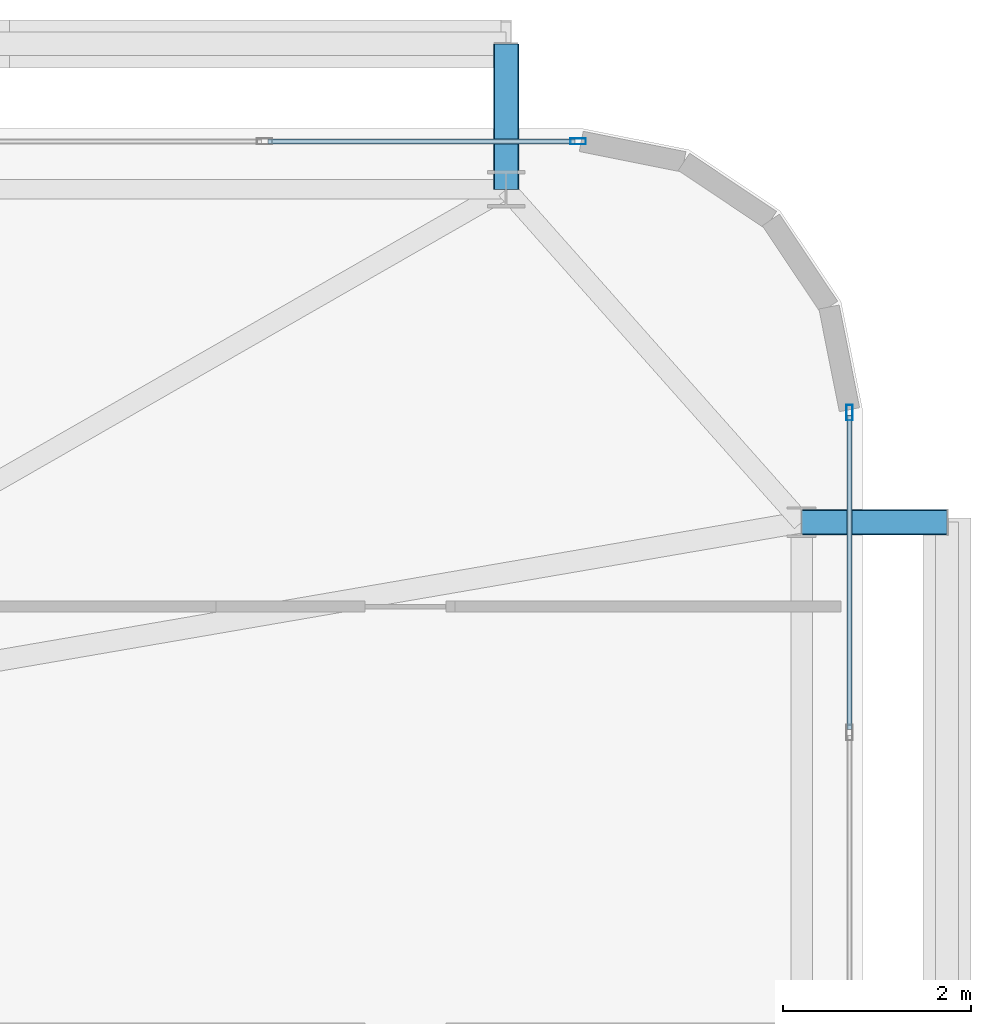
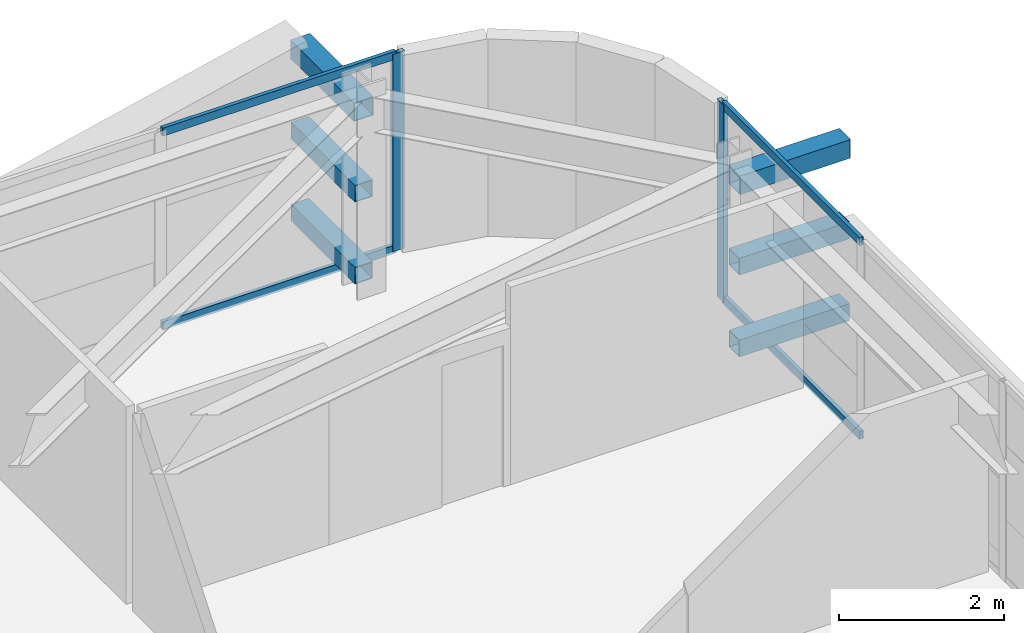
# One storey, part 41 of 59: 12 members, 2 elements without a shape of their own.
"""IFC4 building model written with IfcOpenShell, lengths in metres."""

from ifc_helpers import new_model, si_unit, direction, frame, origin, origin_2d, place, context, subcontext, project, spatial, hollow_rectangle, extrude, source, transform, mapped, material, layer, layer_set, material_profile, profile_set, type_object, element, aggregate, save


model = new_model("IFC4")

# Units and contexts
model_context = context("Model", 3, precision=1e-05, world=origin(), true_north=direction((0.0, 1.0)))
body_context = subcontext(model_context, "Body", "Model", "MODEL_VIEW")
ifc_project = project(units=[si_unit("LENGTHUNIT", "METRE"), si_unit("AREAUNIT", "SQUARE_METRE"), si_unit("VOLUMEUNIT", "CUBIC_METRE"), si_unit("PLANEANGLEUNIT", "RADIAN"), si_unit("MASSUNIT", "GRAM", prefix="KILO")], contexts=[model_context])

# Site, building, storey
site_placement = place(None, origin())
site = spatial("IfcSite", under=ifc_project, at=site_placement, CompositionType="ELEMENT")
building_placement = place(site_placement, origin())
building = spatial("IfcBuilding", under=site, at=building_placement, Name="Taldren Reach Tower", CompositionType="ELEMENT")
storey_placement = place(building_placement, frame((0.0, 0.0, 23.10009765625)))
storey = spatial("IfcBuildingStorey", under=building, at=storey_placement, Name="L06", CompositionType="ELEMENT", Elevation=23.10009765625)

# Members
ifc_material_1 = material(Name="Steel Gr 450 (C450L0)", Category="steel")
ifc_material_profile_1 = material_profile(ifc_material_1, hollow_rectangle(XDim=0.27490234375, YDim=0.27490234375, WallThickness=0.00927734375, at=origin_2d()), Name="275x275x9.3SHS")
ifc_profile_set_1 = profile_set([ifc_material_profile_1], Name="Steel Gr 450 (C450L0)")
member_type_1 = type_object("IfcMemberType", Name="MB-TIE273", PredefinedType="STRUT", material=ifc_profile_set_1)
shared_shape_1 = source(origin(), body_context, "Body", "SweptSolid", [
    extrude(hollow_rectangle(XDim=0.27490234375, YDim=0.27490234375, WallThickness=0.00927734375, at=origin_2d()), origin(), (0.0, 0.0, 1.0), 1.5498046875),
])
for number, where, z_axis, x_axis, name in (
    (1, (61.199951171875, 37.85009765625, 2.64990234375), (0.0, 1.0, 0.0), (-1.0, 0.0, 0.0), "Exoskeleton diaphragm tie strut B1-N6 L06"),
    (2, (64.35009765625, 34.300048828125, 2.64990234375), (1.0, 0.0, 0.0), (0.0, 1.0, 0.0), "Exoskeleton diaphragm tie strut B1-E3 L06"),
):
    element("IfcMember", number, at=place(storey_placement, frame(where, z_axis=z_axis, x_axis=x_axis)), inside=storey, type_object=member_type_1, Name=name, PredefinedType="STRUT", context=body_context, shape_type="MappedRepresentation", body=[
        mapped(shared_shape_1, transform((0.0, 0.0, 0.0), scale=1.0)),
    ])
ifc_material_2 = material(Name="Steel Gr 350 (C350L0)", Category="steel")
ifc_material_profile_2 = material_profile(ifc_material_2, hollow_rectangle(XDim=0.25, YDim=0.25, WallThickness=0.010009765625, at=origin_2d()), Name="250x250x10.0SHS")
ifc_profile_set_2 = profile_set([ifc_material_profile_2], Name="Steel Gr 350 (C350L0)")
member_type_2 = type_object("IfcMemberType", Name="MB-POST250", PredefinedType="POST", material=ifc_profile_set_2)
shared_shape_2 = source(origin(), body_context, "Body", "SweptSolid", [
    extrude(hollow_rectangle(XDim=0.25, YDim=0.25, WallThickness=0.010009765625, at=origin_2d()), origin(), (0.0, 0.0, 1.0), 1.5498046875),
])
for number, where, z_axis, x_axis, name in (
    (3, (61.199951171875, 37.85009765625, 0.219970703125), (0.0, 1.0, 0.0), (-1.0, 0.0, 0.0), "Exoskeleton base diaphragm tie strut B1-N6 L06"),
    (4, (64.35009765625, 34.300048828125, 0.219970703125), (1.0, 0.0, 0.0), (0.0, 1.0, 0.0), "Exoskeleton base diaphragm tie strut B1-E3 L06"),
    (5, (61.199951171875, 37.85009765625, 1.434814453125), (0.0, 1.0, 0.0), (-1.0, 0.0, 0.0), "Exoskeleton mid-tier diaphragm tie B1-N6 L06"),
    (6, (64.35009765625, 34.300048828125, 1.434814453125), (1.0, 0.0, 0.0), (0.0, 1.0, 0.0), "Exoskeleton mid-tier diaphragm tie B1-E3 L06"),
):
    element("IfcMember", number, at=place(storey_placement, frame(where, z_axis=z_axis, x_axis=x_axis)), inside=storey, type_object=member_type_2, Name=name, PredefinedType="POST", context=body_context, shape_type="MappedRepresentation", body=[
        mapped(shared_shape_2, transform((0.0, 0.0, 0.0), scale=1.0)),
    ])

# Curtain wall, member
ifc_material_3 = material(Name="Aluminium and Low-E Glass Unitised System", Category="aluminium")
ifc_layer = layer(ifc_material_3, 0.159912109375)
ifc_layer_set = layer_set([ifc_layer], Name="Aluminium and Low-E Glass Unitised System")
curtain_wall_type = type_object("IfcCurtainWallType", Name="CW-SYS-2", PredefinedType="NOTDEFINED", material=ifc_layer_set)
curtain_wall_1_placement = place(storey_placement, origin())
curtain_wall_1 = element("IfcCurtainWall", 7, at=curtain_wall_1_placement, inside=storey, type_object=curtain_wall_type, Name="Unitised curtain wall CW-L06-N", PredefinedType="NOTDEFINED")
ifc_material_4 = material(Name="Anodised Aluminium 6063-T6", Category="aluminium")
ifc_material_profile_3 = material_profile(ifc_material_4, hollow_rectangle(XDim=0.06494140625, YDim=0.1650390625, WallThickness=0.00390625, at=origin_2d()), Name="ALU-165x65x4RHS")
ifc_profile_set_3 = profile_set([ifc_material_profile_3], Name="Anodised Aluminium 6063-T6")
member_type_3 = type_object("IfcMemberType", Name="CW-MUL-165", PredefinedType="MULLION", material=ifc_profile_set_3)
shared_shape_3 = source(origin(), body_context, "Body", "SweptSolid", [
    extrude(hollow_rectangle(XDim=0.06494140625, YDim=0.1650390625, WallThickness=0.00390625, at=origin_2d()), origin(), (0.0, 0.0, 1.0), 2.929931640625),
])
member_1_placement = place(storey_placement, frame((61.967529296875, 38.360107421875, 0.0), z_axis=(0.0, 0.0, 1.0), x_axis=(0.0, -1.0, 0.0)))
member_1 = element("IfcMember", 8, at=member_1_placement, type_object=member_type_3, Name="CW-2 mullion 1", PredefinedType="MULLION", context=body_context, shape_type="MappedRepresentation", body=[
    mapped(shared_shape_3, transform((0.0, 0.0, 0.0), scale=1.0)),
])

curtain_wall_2_placement = place(storey_placement, origin())
curtain_wall_2 = element("IfcCurtainWall", 9, at=curtain_wall_2_placement, inside=storey, type_object=curtain_wall_type, Name="Unitised curtain wall CW-L06-E", PredefinedType="NOTDEFINED")
member_2_placement = place(storey_placement, frame((64.860107421875, 35.467529296875, 0.0), z_axis=(0.0, 0.0, 1.0), x_axis=(-1.0, 0.0, 0.0)))
member_2 = element("IfcMember", 10, at=member_2_placement, type_object=member_type_3, Name="CW-2 mullion 10", PredefinedType="MULLION", context=body_context, shape_type="MappedRepresentation", body=[
    mapped(shared_shape_3, transform((0.0, 0.0, 0.0), scale=1.0)),
])

# Member
ifc_material_profile_4 = material_profile(ifc_material_4, hollow_rectangle(XDim=0.054931640625, YDim=0.1201171875, WallThickness=0.0029296875, at=origin_2d()), Name="ALU-120x55x3RHS")
ifc_profile_set_4 = profile_set([ifc_material_profile_4], Name="Anodised Aluminium 6063-T6")
member_type_4 = type_object("IfcMemberType", Name="CW-TRN-135", PredefinedType="USERDEFINED", material=ifc_profile_set_4)
shared_shape_4 = source(origin(), body_context, "Body", "SweptSolid", [
    extrude(hollow_rectangle(XDim=0.054931640625, YDim=0.1201171875, WallThickness=0.0029296875, at=origin_2d()), origin(), (0.0, 0.0, 1.0), 3.277587890625),
])
member_3_placement = place(storey_placement, frame((61.93505859375, 38.360107421875, 0.02734375), z_axis=(-1.0, 0.0, 0.0), x_axis=(0.0, -1.0, 0.0)))
member_3 = element("IfcMember", 11, at=member_3_placement, type_object=member_type_4, Name="CW-2 transom 1.1", ObjectType="TRANSOM", PredefinedType="USERDEFINED", context=body_context, shape_type="MappedRepresentation", body=[
    mapped(shared_shape_4, transform((0.0, 0.0, 0.0), scale=1.0)),
])

member_4_placement = place(storey_placement, frame((61.93505859375, 38.360107421875, 2.90234375), z_axis=(-1.0, 0.0, 0.0), x_axis=(0.0, -1.0, 0.0)))
member_4 = element("IfcMember", 12, at=member_4_placement, type_object=member_type_4, Name="CW-2 transom 1.2", ObjectType="TRANSOM", PredefinedType="USERDEFINED", context=body_context, shape_type="MappedRepresentation", body=[
    mapped(shared_shape_4, transform((0.0, 0.0, 0.0), scale=1.0)),
])

aggregate(curtain_wall_1, [member_1, member_3, member_4])

shared_shape_5 = source(origin(), body_context, "Body", "SweptSolid", [
    extrude(hollow_rectangle(XDim=0.054931640625, YDim=0.1201171875, WallThickness=0.0029296875, at=origin_2d()), origin(), (0.0, 0.0, 1.0), 3.346923828125),
])
member_5_placement = place(storey_placement, frame((64.860107421875, 32.088134765625, 0.02734375), z_axis=(0.0, 1.0, 0.0), x_axis=(-1.0, 0.0, 0.0)))
member_5 = element("IfcMember", 13, at=member_5_placement, type_object=member_type_4, Name="CW-2 transom 9.1", ObjectType="TRANSOM", PredefinedType="USERDEFINED", context=body_context, shape_type="MappedRepresentation", body=[
    mapped(shared_shape_5, transform((0.0, 0.0, 0.0), scale=1.0)),
])

member_6_placement = place(storey_placement, frame((64.860107421875, 32.088134765625, 2.90234375), z_axis=(0.0, 1.0, 0.0), x_axis=(-1.0, 0.0, 0.0)))
member_6 = element("IfcMember", 14, at=member_6_placement, type_object=member_type_4, Name="CW-2 transom 9.2", ObjectType="TRANSOM", PredefinedType="USERDEFINED", context=body_context, shape_type="MappedRepresentation", body=[
    mapped(shared_shape_5, transform((0.0, 0.0, 0.0), scale=1.0)),
])

aggregate(curtain_wall_2, [member_2, member_5, member_6])

save(model, "model.ifc")
